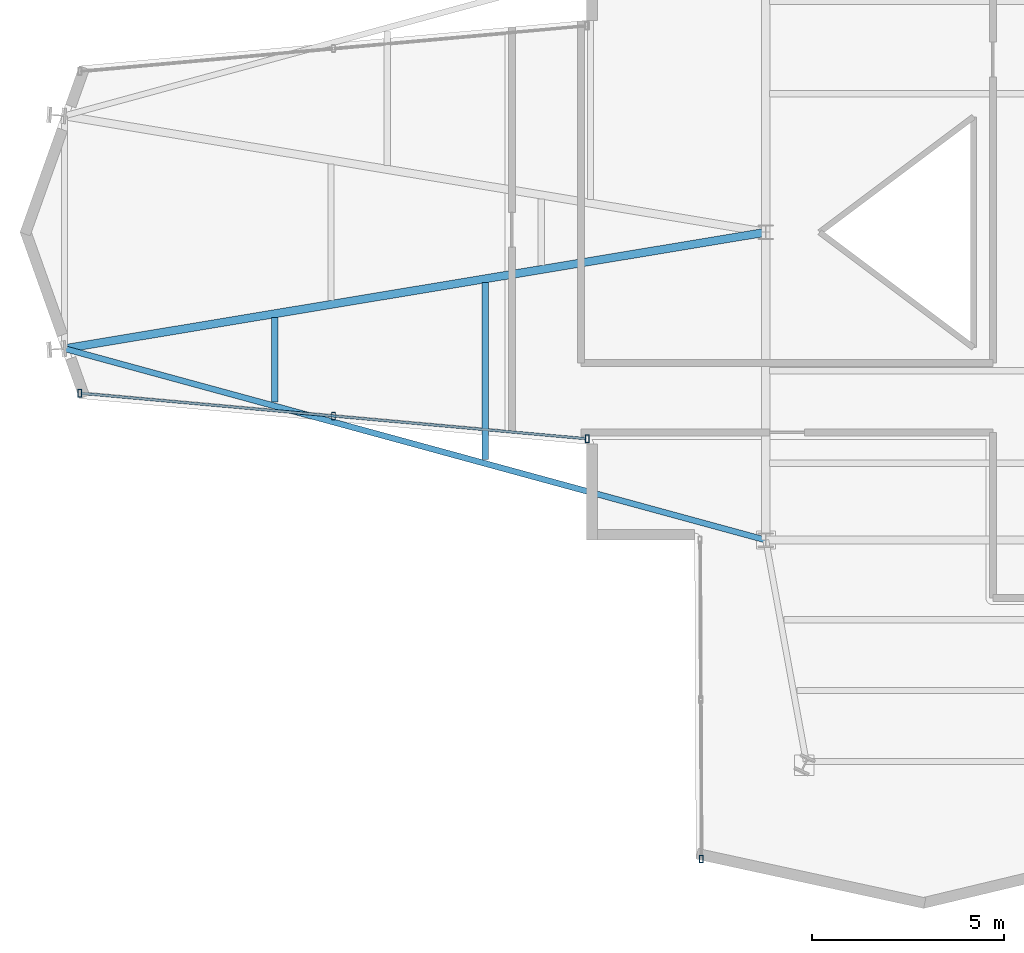
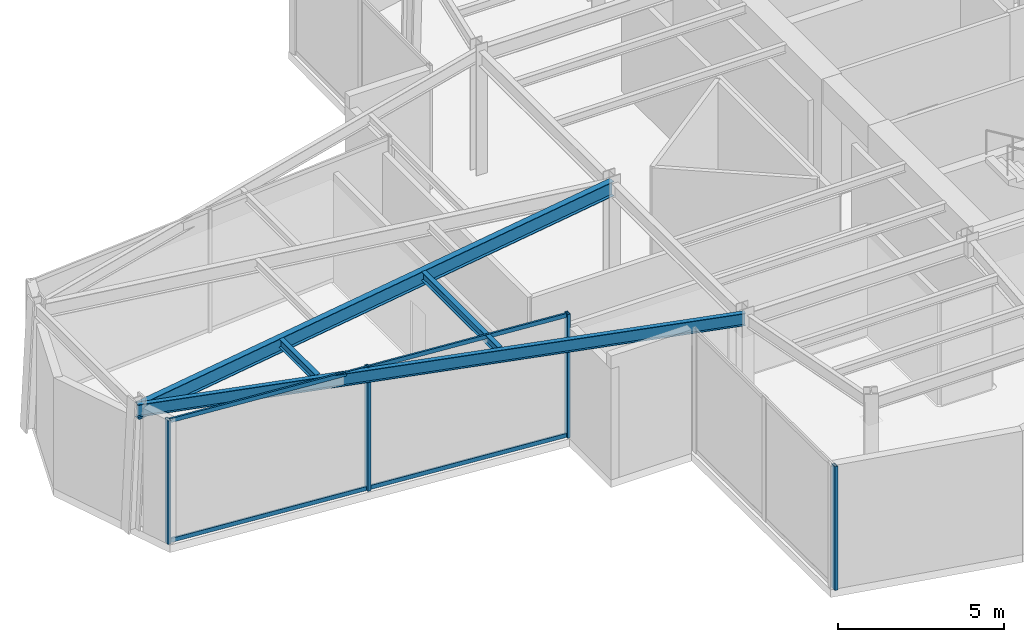
# One storey, part 2 of 14: 6 members, 4 beams, 2 elements without a shape of their own.
"""IFC4 building model written with IfcOpenShell, lengths in metres."""

import ifcopenshell
import ifcopenshell.guid

model = None  # the IFC model being written
_history = None  # IfcOwnerHistory: only IFC2X3 demands one
_inside = {}  # id of a spatial element -> (the spatial element, [elements in it])
_under = {}  # id of a project, library or spatial element -> (it, [spatial elements below it])
_declared = {}  # id of a project -> (the project, [libraries it declares])
_typed = {}  # id of a type object -> (the type object, [elements of that type])
_made_of = {}  # id of a material, layer set ... -> (it, [elements and type objects made of it])


def new_model(schema):
    """Start an empty IFC model of exactly this schema.

    Asked for "IFC4X3", IfcOpenShell would pick the latest addendum, in which some entities
    have other attributes; the version numbers below select the first issue.
    IFC2X3 requires an IfcOwnerHistory on every rooted entity: one is made here for all.
    """
    global model, _history
    if schema == "IFC4X3":
        model = ifcopenshell.file(schema_version=(4, 3, 0, 0))
    else:
        model = ifcopenshell.file(schema=schema)
    _inside.clear()
    _under.clear()
    _declared.clear()
    _typed.clear()
    _made_of.clear()
    _history = None
    if model.schema == "IFC2X3":
        org = make("IfcOrganization", Name="unknown")
        user = make(
            "IfcPersonAndOrganization",
            ThePerson=make("IfcPerson", FamilyName="unknown"),
            TheOrganization=org,
        )
        app = make(
            "IfcApplication",
            ApplicationDeveloper=org,
            Version="unknown",
            ApplicationFullName="unknown",
            ApplicationIdentifier="unknown",
        )
        _history = make(
            "IfcOwnerHistory",
            OwningUser=user,
            OwningApplication=app,
            ChangeAction="ADDED",
            CreationDate=0,
        )
    return model


def make(cls, **values):
    """One entity of the class cls with the attributes given. An attribute that is None is left unset."""
    return model.create_entity(
        cls, **{name: value for name, value in values.items() if value is not None}
    )


def rooted(cls, **values):
    """An entity with a GlobalId (a new one), such as an element, a storey or a relation."""
    return make(cls, GlobalId=ifcopenshell.guid.new(), OwnerHistory=_history, **values)


def si_unit(unit_type, name, prefix=None):
    """IfcSIUnit, for example si_unit("LENGTHUNIT", "METRE", prefix="MILLI")."""
    return make("IfcSIUnit", UnitType=unit_type, Prefix=prefix, Name=name)


def assignment(units):
    """IfcUnitAssignment: the units of a project."""
    return None if units is None else make("IfcUnitAssignment", Units=units)


def point(xyz):
    """IfcCartesianPoint."""
    return None if xyz is None else make("IfcCartesianPoint", Coordinates=xyz)


def direction(xyz):
    """IfcDirection."""
    return None if xyz is None else make("IfcDirection", DirectionRatios=xyz)


def frame(location, z_axis=None, x_axis=None):
    """IfcAxis2Placement3D, a coordinate frame: its origin and axes. An axis left out is left unset."""
    return make(
        "IfcAxis2Placement3D",
        Location=point(location),
        Axis=direction(z_axis),
        RefDirection=direction(x_axis),
    )


def frame_2d(location, x_axis=None):
    """IfcAxis2Placement2D, a coordinate frame in the plane: its origin and x axis."""
    return make(
        "IfcAxis2Placement2D", Location=point(location), RefDirection=direction(x_axis)
    )


def origin():
    """The frame at (0, 0, 0) with its axes left unset."""
    return frame((0.0, 0.0, 0.0))


def origin_2d():
    """The frame at (0, 0) in the plane with its x axis left unset."""
    return frame_2d((0.0, 0.0))


def place(relative_to, where):
    """IfcLocalPlacement: puts the frame where relative to a parent placement (None: the world)."""
    return make(
        "IfcLocalPlacement", PlacementRelTo=relative_to, RelativePlacement=where
    )


def context(
    kind, dimensions, precision=None, world=None, true_north=None, identifier=None
):
    """IfcGeometricRepresentationContext, for example the 3D "Model" context."""
    return make(
        "IfcGeometricRepresentationContext",
        ContextIdentifier=identifier,
        ContextType=kind,
        CoordinateSpaceDimension=dimensions,
        Precision=precision,
        WorldCoordinateSystem=world,
        TrueNorth=true_north,
    )


def subcontext(parent, identifier, kind, view, scale=None):
    """IfcGeometricRepresentationSubContext, for example "Body" below "Model"."""
    return make(
        "IfcGeometricRepresentationSubContext",
        ContextIdentifier=identifier,
        ContextType=kind,
        ParentContext=parent,
        TargetScale=scale,
        TargetView=view,
    )


def project(units=None, contexts=None):
    """IfcProject with its units and contexts."""
    return rooted(
        "IfcProject",
        Name="project",
        RepresentationContexts=contexts,
        UnitsInContext=assignment(units),
    )


def spatial(cls, under=None, at=None, **own):
    """A site, building, storey or space (cls), placed at a placement, below another one or the project."""
    s = rooted(cls, ObjectPlacement=at, **own)
    if under is not None:
        _under.setdefault(under.id(), (under, []))[1].append(s)
    return s


def profile(cls, at=None, kind="AREA", **sizes):
    """A parametric profile (cls). Its sizes go by their IFC names, for example OverallWidth=200.0."""
    return make(cls, ProfileType=kind, Position=at, **sizes)


def hollow_rectangle(**sizes):
    """IfcRectangleHollowProfileDef."""
    return profile("IfcRectangleHollowProfileDef", **sizes)


def i_section(**sizes):
    """IfcIShapeProfileDef."""
    return profile("IfcIShapeProfileDef", **sizes)


def extrude(swept, where, along, depth):
    """IfcExtrudedAreaSolid: the profile swept, set in the frame where, extruded along a direction by depth."""
    return make(
        "IfcExtrudedAreaSolid",
        SweptArea=swept,
        Position=where,
        ExtrudedDirection=direction(along),
        Depth=depth,
    )


def shape(context_of_items, identifier, shape_type, items):
    """IfcShapeRepresentation: the items that make up one representation, for example the "Body"."""
    return make(
        "IfcShapeRepresentation",
        ContextOfItems=context_of_items,
        RepresentationIdentifier=identifier,
        RepresentationType=shape_type,
        Items=items,
    )


def material(Name=None, Category=None):
    """IfcMaterial."""
    return make("IfcMaterial", Name=Name, Category=Category)


def layer(
    of_material, thickness, ventilated=None, Name=None, Category=None, Priority=None
):
    """IfcMaterialLayer: one layer of a wall or slab, of a material (None: an air gap)."""
    return make(
        "IfcMaterialLayer",
        Material=of_material,
        LayerThickness=thickness,
        IsVentilated=ventilated,
        Name=Name,
        Category=Category,
        Priority=Priority,
    )


def layer_set(layers, Name=None):
    """IfcMaterialLayerSet."""
    return make("IfcMaterialLayerSet", MaterialLayers=layers, LayerSetName=Name)


def material_profile(
    of_material, cross_section, Name=None, Category=None, Priority=None
):
    """IfcMaterialProfile: a cross section and its material."""
    return make(
        "IfcMaterialProfile",
        Name=Name,
        Material=of_material,
        Profile=cross_section,
        Priority=Priority,
        Category=Category,
    )


def profile_set(profiles, Name=None, composite=None):
    """IfcMaterialProfileSet."""
    return make(
        "IfcMaterialProfileSet",
        Name=Name,
        MaterialProfiles=profiles,
        CompositeProfile=composite,
    )


def made_of(thing, what):
    """Note that an element or type object is made of a material, layer set ...; save() writes the relation."""
    if what is not None:
        _made_of.setdefault(what.id(), (what, []))[1].append(thing)
    return thing


def type_object(cls, material=None, **own):
    """A type object (cls), such as IfcWallType, which elements share."""
    return made_of(rooted(cls, **own), material)


def element(
    cls,
    number,
    at=None,
    inside=None,
    cuts=None,
    type_object=None,
    material=None,
    context=None,
    identifier="Body",
    shape_type=None,
    held_by="IfcProductDefinitionShape",
    body=None,
    shapes=None,
    **own,
):
    """One element of the class cls, such as IfcWall. Its Tag is "e" and its number.

    at: its placement. inside: the storey or other place that contains it. cuts: it is an
    opening in that element (IfcRelVoidsElement). A single representation is given by context,
    identifier, shape_type and body (its items); several are given by shapes. held_by: the class
    of the entity that holds the representations. save() writes the other relations.
    """
    e = rooted(cls, Tag="e%d" % number, ObjectPlacement=at, **own)
    if body is not None:
        shapes = [shape(context, identifier, shape_type, body)]
    if shapes is not None:
        e.Representation = make(held_by, Representations=shapes)
    if inside is not None:
        _inside.setdefault(inside.id(), (inside, []))[1].append(e)
    if cuts is not None:
        rooted(
            "IfcRelVoidsElement", RelatingBuildingElement=cuts, RelatedOpeningElement=e
        )
    if type_object is not None:
        _typed.setdefault(type_object.id(), (type_object, []))[1].append(e)
    return made_of(e, material)


def aggregate(whole, parts):
    """IfcRelAggregates: a whole, such as a stair, and the parts it consists of."""
    return rooted("IfcRelAggregates", RelatingObject=whole, RelatedObjects=parts)


def save(model, path):
    """Write the relations noted so far, then the file.

    IfcRelAggregates (storeys below a building ...), IfcRelContainedInSpatialStructure (elements
    in a storey), IfcRelDefinesByType, IfcRelAssociatesMaterial and IfcRelDeclares: one each for
    every whole, place, type object, material and project.
    """
    for whole, parts in _under.values():
        aggregate(whole, parts)
    for where, things in _inside.values():
        rooted(
            "IfcRelContainedInSpatialStructure",
            RelatedElements=things,
            RelatingStructure=where,
        )
    for kind, things in _typed.values():
        rooted("IfcRelDefinesByType", RelatedObjects=things, RelatingType=kind)
    for what, things in _made_of.values():
        rooted("IfcRelAssociatesMaterial", RelatedObjects=things, RelatingMaterial=what)
    for by, libraries in _declared.values():
        rooted("IfcRelDeclares", RelatingContext=by, RelatedDefinitions=libraries)
    model.write(path)


model = new_model("IFC4")

# Units and contexts
model_context = context("Model", 3, precision=1e-05, world=origin(), true_north=direction((0.0, 1.0)))
body_context = subcontext(model_context, "Body", "Model", "MODEL_VIEW")
ifc_project = project(units=[si_unit("LENGTHUNIT", "METRE"), si_unit("AREAUNIT", "SQUARE_METRE"), si_unit("VOLUMEUNIT", "CUBIC_METRE"), si_unit("PLANEANGLEUNIT", "RADIAN"), si_unit("MASSUNIT", "GRAM", prefix="KILO")], contexts=[model_context])

# Site, building, storey
site_placement = place(None, origin())
site = spatial("IfcSite", under=ifc_project, at=site_placement, CompositionType="ELEMENT")
building_placement = place(site_placement, origin())
building = spatial("IfcBuilding", under=site, at=building_placement, Name="Veymaron Broadcast Tower", CompositionType="ELEMENT")
storey_placement = place(building_placement, frame((0.0, 0.0, 187.050048828125)))
storey = spatial("IfcBuildingStorey", under=building, at=storey_placement, Name="L43", CompositionType="ELEMENT", Elevation=187.050048828125)

# Beams
ifc_material_1 = material(Name="Structural steel ASTM A992 Gr 50", Category="steel")
ifc_material_profile_1 = material_profile(ifc_material_1, i_section(OverallWidth=0.2099609375, OverallDepth=0.537109375, WebThickness=0.010986328125, FlangeThickness=0.017333984375, at=origin_2d()), Name="W530X101")
ifc_profile_set_1 = profile_set([ifc_material_profile_1], Name="Structural steel ASTM A992 Gr 50")
beam_type_1 = type_object("IfcBeamType", Name="BM-FG3", PredefinedType="BEAM", material=ifc_profile_set_1)
beam_1_placement = place(storey_placement, frame((12.97509765625, 20.97509765625, 4.271484375), z_axis=(0.986504066629, 0.163736759843, 0.0), x_axis=(-0.163736759843, 0.986504066629, 0.0)))
element("IfcBeam", 1, at=beam_1_placement, inside=storey, type_object=beam_type_1, Name="L43 primary structural floor girder", PredefinedType="BEAM", context=body_context, shape_type="SweptSolid", body=[
    extrude(i_section(OverallWidth=0.2099609375, OverallDepth=0.537109375, WebThickness=0.010986328125, FlangeThickness=0.017333984375, at=origin_2d()), origin(), (0.0, 0.0, 1.0), 18.47412109375),
])
ifc_material_profile_2 = material_profile(ifc_material_1, i_section(OverallWidth=0.1650390625, OverallDepth=0.31005859375, WebThickness=0.005859375, FlangeThickness=0.009765625, at=origin_2d()), Name="W310X39")
ifc_profile_set_2 = profile_set([ifc_material_profile_2], Name="Structural steel ASTM A992 Gr 50")
beam_type_2 = type_object("IfcBeamType", Name="BM-JS3", PredefinedType="JOIST", material=ifc_profile_set_2)
beam_2_placement = place(storey_placement, frame((18.4423828125, 19.58251953125, 4.385009765625), z_axis=(0.0, 1.0, 0.0), x_axis=(-1.0, 0.0, 0.0)))
element("IfcBeam", 2, at=beam_2_placement, inside=storey, type_object=beam_type_2, Name="L43 Arm-A secondary joist 1S", PredefinedType="JOIST", context=body_context, shape_type="SweptSolid", body=[
    extrude(i_section(OverallWidth=0.1650390625, OverallDepth=0.31005859375, WebThickness=0.005859375, FlangeThickness=0.009765625, at=origin_2d()), origin(), (0.0, 0.0, 1.0), 2.199951171875),
])
beam_3_placement = place(storey_placement, frame((23.909912109375, 18.090087890625, 4.385009765625), z_axis=(0.0, 1.0, 0.0), x_axis=(-1.0, 0.0, 0.0)))
element("IfcBeam", 3, at=beam_3_placement, inside=storey, type_object=beam_type_2, Name="L43 Arm-A secondary joist 2S", PredefinedType="JOIST", context=body_context, shape_type="SweptSolid", body=[
    extrude(i_section(OverallWidth=0.1650390625, OverallDepth=0.31005859375, WebThickness=0.005859375, FlangeThickness=0.009765625, at=origin_2d()), origin(), (0.0, 0.0, 1.0), 4.599853515625),
])
ifc_material_profile_3 = material_profile(ifc_material_1, i_section(OverallWidth=0.154052734375, OverallDepth=0.458984375, WebThickness=0.009033203125, FlangeThickness=0.015380859375, at=origin_2d()), Name="W460X68")
ifc_profile_set_3 = profile_set([ifc_material_profile_3], Name="Structural steel ASTM A992 Gr 50")
beam_type_3 = type_object("IfcBeamType", Name="BM-SP2", PredefinedType="SPANDREL", material=ifc_profile_set_3)
beam_4_placement = place(storey_placement, frame((12.97509765625, 20.97509765625, 4.310546875), z_axis=(0.964700867806, -0.263348126353, 0.0), x_axis=(0.263348126353, 0.964700867806, 0.0)))
element("IfcBeam", 4, at=beam_4_placement, inside=storey, type_object=beam_type_3, Name="L43 primary structural floor girder", PredefinedType="SPANDREL", context=body_context, shape_type="SweptSolid", body=[
    extrude(i_section(OverallWidth=0.154052734375, OverallDepth=0.458984375, WebThickness=0.009033203125, FlangeThickness=0.015380859375, at=origin_2d()), origin(), (0.0, 0.0, 1.0), 18.8916015625),
])

# Curtain wall, members
ifc_material_2 = material(Name="Anodised aluminium AA 6063-T6 and laminated low-E dark glass", Category="aluminium")
ifc_layer = layer(ifc_material_2, 0.179931640625)
ifc_layer_set = layer_set([ifc_layer], Name="Anodised aluminium AA 6063-T6 and laminated low-E dark glass")
curtain_wall_type = type_object("IfcCurtainWallType", Name="CW-SYS-04", PredefinedType="NOTDEFINED", material=ifc_layer_set)
curtain_wall_1_placement = place(storey_placement, origin())
curtain_wall_1 = element("IfcCurtainWall", 5, at=curtain_wall_1_placement, inside=storey, type_object=curtain_wall_type, Name="L43 dark-glass curtain wall CW-L43-E14-1", PredefinedType="NOTDEFINED")
ifc_material_3 = material(Name="Anodised aluminium AA 6063-T6", Category="aluminium")
ifc_material_profile_4 = material_profile(ifc_material_3, hollow_rectangle(XDim=0.10009765625, YDim=0.199951171875, WallThickness=0.010009765625, at=origin_2d()), Name="RHS200X100X10")
ifc_profile_set_4 = profile_set([ifc_material_profile_4], Name="Anodised aluminium AA 6063-T6")
member_type_1 = type_object("IfcMemberType", Name="CW-MUL-01", PredefinedType="MULLION", material=ifc_profile_set_4)
member_1_placement = place(storey_placement, frame((13.37255859375, 19.8173828125, 0.0), z_axis=(0.0, 0.0, 1.0), x_axis=(1.0, 0.0, 0.0)))
member_1 = element("IfcMember", 6, at=member_1_placement, type_object=member_type_1, Name="CW-L43-E14-1 mullion 0", PredefinedType="MULLION", context=body_context, shape_type="SweptSolid", body=[
    extrude(hollow_rectangle(XDim=0.10009765625, YDim=0.199951171875, WallThickness=0.010009765625, at=origin_2d()), origin(), (0.0, 0.0, 1.0), 4.5400390625),
])
member_2_placement = place(storey_placement, frame((19.96533203125, 19.224853515625, 0.0), z_axis=(0.0, 0.0, 1.0), x_axis=(1.0, 0.0, 0.0)))
member_2 = element("IfcMember", 7, at=member_2_placement, type_object=member_type_1, Name="CW-L43-E14-1 mullion 1", PredefinedType="MULLION", context=body_context, shape_type="SweptSolid", body=[
    extrude(hollow_rectangle(XDim=0.10009765625, YDim=0.199951171875, WallThickness=0.010009765625, at=origin_2d()), origin(), (0.0, 0.0, 1.0), 4.5400390625),
])
member_3_placement = place(storey_placement, frame((26.55810546875, 18.63232421875, 0.0), z_axis=(0.0, 0.0, 1.0), x_axis=(1.0, 0.0, 0.0)))
member_3 = element("IfcMember", 8, at=member_3_placement, type_object=member_type_1, Name="CW-L43-E14-1 mullion 2", PredefinedType="MULLION", context=body_context, shape_type="SweptSolid", body=[
    extrude(hollow_rectangle(XDim=0.10009765625, YDim=0.199951171875, WallThickness=0.010009765625, at=origin_2d()), origin(), (0.0, 0.0, 1.0), 4.5400390625),
])

# Curtain wall, member
curtain_wall_2_placement = place(storey_placement, origin())
curtain_wall_2 = element("IfcCurtainWall", 9, at=curtain_wall_2_placement, inside=storey, type_object=curtain_wall_type, Name="L43 dark-glass curtain wall CW-L43-E17-1", PredefinedType="NOTDEFINED")
member_4_placement = place(storey_placement, frame((29.527099609375, 7.71142578125, 0.0), z_axis=(0.0, 0.0, 1.0), x_axis=(1.0, 0.0, 0.0)))
member_4 = element("IfcMember", 10, at=member_4_placement, type_object=member_type_1, Name="CW-L43-E17-1 mullion 2", PredefinedType="MULLION", context=body_context, shape_type="SweptSolid", body=[
    extrude(hollow_rectangle(XDim=0.10009765625, YDim=0.199951171875, WallThickness=0.010009765625, at=origin_2d()), origin(), (0.0, 0.0, 1.0), 4.5400390625),
])
aggregate(curtain_wall_2, [member_4])

# Member
ifc_material_profile_5 = material_profile(ifc_material_3, hollow_rectangle(XDim=0.06494140625, YDim=0.14990234375, WallThickness=0.00390625, at=origin_2d()), Name="AL150X65X4")
ifc_profile_set_5 = profile_set([ifc_material_profile_5], Name="Anodised aluminium AA 6063-T6")
member_type_2 = type_object("IfcMemberType", Name="CW-TRN-01", PredefinedType="USERDEFINED", material=ifc_profile_set_5)
member_5_placement = place(storey_placement, frame((13.42236328125, 19.81298828125, 0.070068359375), z_axis=(0.995986042977, -0.089508671064, 0.0), x_axis=(0.089508671064, 0.995986042977, 0.0)))
member_5 = element("IfcMember", 11, at=member_5_placement, type_object=member_type_2, Name="CW-L43-E14-1 transom B", ObjectType="TRANSOM", PredefinedType="USERDEFINED", context=body_context, shape_type="SweptSolid", body=[
    extrude(hollow_rectangle(XDim=0.06494140625, YDim=0.14990234375, WallThickness=0.00390625, at=origin_2d()), origin(), (0.0, 0.0, 1.0), 13.138671875),
])

member_6_placement = place(storey_placement, frame((13.42236328125, 19.81298828125, 4.469970703125), z_axis=(0.995986042977, -0.089508671064, 0.0), x_axis=(0.089508671064, 0.995986042977, 0.0)))
member_6 = element("IfcMember", 12, at=member_6_placement, type_object=member_type_2, Name="CW-L43-E14-1 transom T", ObjectType="TRANSOM", PredefinedType="USERDEFINED", context=body_context, shape_type="SweptSolid", body=[
    extrude(hollow_rectangle(XDim=0.06494140625, YDim=0.14990234375, WallThickness=0.00390625, at=origin_2d()), origin(), (0.0, 0.0, 1.0), 13.138671875),
])

aggregate(curtain_wall_1, [member_1, member_2, member_3, member_5, member_6])

save(model, "model.ifc")
